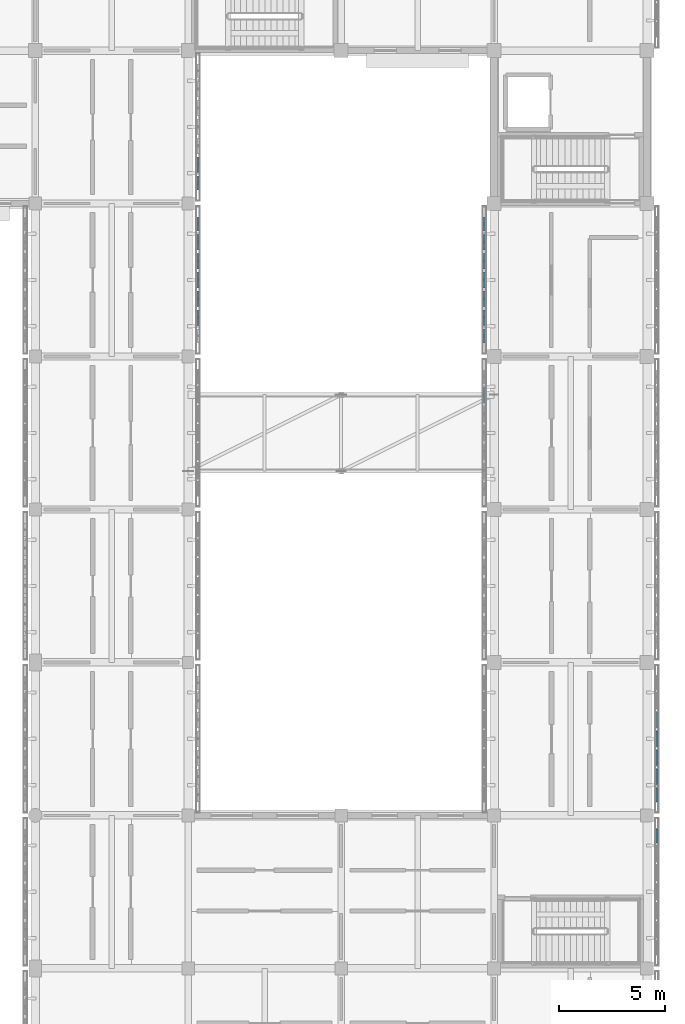
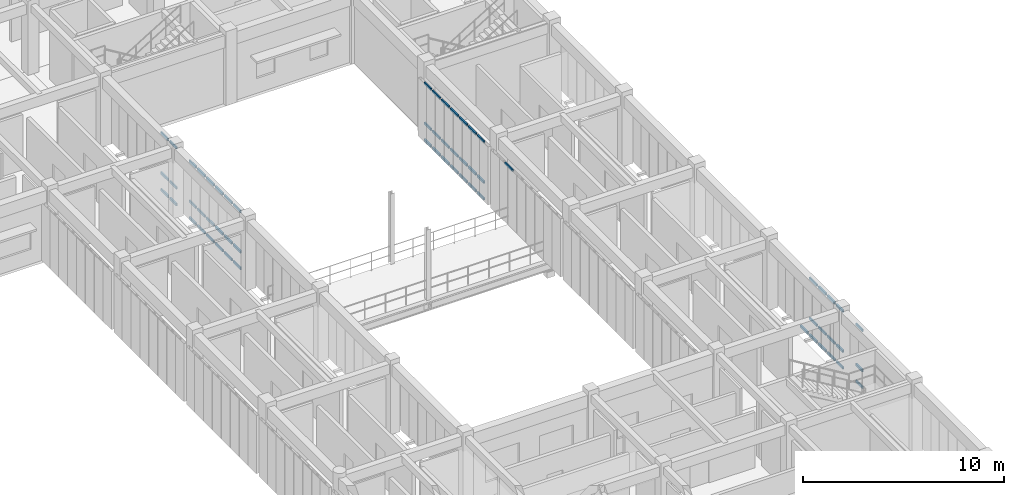
# One storey, part 88 of 171: 62 members, 6 elements without a shape of their own.
"""IFC4 building model written with IfcOpenShell, lengths in metres."""

from ifc_helpers import new_model, si_unit, direction, frame, origin, origin_2d, place, context, subcontext, project, spatial, hollow_rectangle, extrude, material, material_profile, profile_set, type_object, element, aggregate, save


model = new_model("IFC4")

# Units and contexts
model_context = context("Model", 3, precision=1e-05, world=origin(), true_north=direction((0.0, 1.0)))
body_context = subcontext(model_context, "Body", "Model", "MODEL_VIEW")
ifc_project = project(units=[si_unit("LENGTHUNIT", "METRE"), si_unit("AREAUNIT", "SQUARE_METRE"), si_unit("VOLUMEUNIT", "CUBIC_METRE"), si_unit("PLANEANGLEUNIT", "RADIAN"), si_unit("MASSUNIT", "GRAM", prefix="KILO")], contexts=[model_context])

# Site, building, storey
site_placement = place(None, origin())
site = spatial("IfcSite", under=ifc_project, at=site_placement, CompositionType="ELEMENT")
building_placement = place(site_placement, origin())
building = spatial("IfcBuilding", under=site, at=building_placement, Name="Aldebral Square Health Centre", CompositionType="ELEMENT")
storey_placement = place(building_placement, frame((0.0, 0.0, 4.5)))
storey = spatial("IfcBuildingStorey", under=building, at=storey_placement, Name="L01", CompositionType="ELEMENT", Elevation=4.5)

# Curtain wall, members
ifc_material_1 = material(Name="Aluminium and low-E solar glass", Category="aluminium")
curtain_wall_type = type_object("IfcCurtainWallType", Name="CW-FIN-SYS", PredefinedType="USERDEFINED", material=ifc_material_1)
curtain_wall_1_placement = place(storey_placement, origin())
curtain_wall_1 = element("IfcCurtainWall", 1, at=curtain_wall_1_placement, inside=storey, type_object=curtain_wall_type, Name="L01 V5 finned curtain wall L01-V5-19-12-E", ObjectType="SOLAR_CURTAIN_WALL", PredefinedType="USERDEFINED")
ifc_material_2 = material(Name="Anodised aluminium transom", Category="aluminium")
ifc_material_profile = material_profile(ifc_material_2, hollow_rectangle(XDim=0.074951171875, YDim=0.14990234375, WallThickness=0.00390625, at=origin_2d()), Name="CWT 75x150x4")
ifc_profile_set = profile_set([ifc_material_profile], Name="Anodised aluminium transom")
member_type = type_object("IfcMemberType", Name="CWT-STD", PredefinedType="USERDEFINED", material=ifc_profile_set)
member_1_placement = place(storey_placement, frame((144.4599609375, 87.851318359375, 0.03759765625), z_axis=(0.0, 1.0, 0.0), x_axis=(-1.0, 0.0, 0.0)))
member_1 = element("IfcMember", 2, at=member_1_placement, type_object=member_type, Name="CW1 transom 2.1", ObjectType="TRANSOM", PredefinedType="USERDEFINED", context=body_context, shape_type="SweptSolid", body=[
    extrude(hollow_rectangle(XDim=0.074951171875, YDim=0.14990234375, WallThickness=0.00390625, at=origin_2d()), origin(), (0.0, 0.0, 1.0), 0.7314453125),
])
member_2_placement = place(storey_placement, frame((144.4599609375, 87.851318359375, 1.050048828125), z_axis=(0.0, 1.0, 0.0), x_axis=(-1.0, 0.0, 0.0)))
member_2 = element("IfcMember", 3, at=member_2_placement, type_object=member_type, Name="CW1 transom 2.2", ObjectType="TRANSOM", PredefinedType="USERDEFINED", context=body_context, shape_type="SweptSolid", body=[
    extrude(hollow_rectangle(XDim=0.074951171875, YDim=0.14990234375, WallThickness=0.00390625, at=origin_2d()), origin(), (0.0, 0.0, 1.0), 0.7314453125),
])
member_3_placement = place(storey_placement, frame((144.4599609375, 87.851318359375, 3.482421875), z_axis=(0.0, 1.0, 0.0), x_axis=(-1.0, 0.0, 0.0)))
member_3 = element("IfcMember", 4, at=member_3_placement, type_object=member_type, Name="CW1 transom 2.3", ObjectType="TRANSOM", PredefinedType="USERDEFINED", context=body_context, shape_type="SweptSolid", body=[
    extrude(hollow_rectangle(XDim=0.074951171875, YDim=0.14990234375, WallThickness=0.00390625, at=origin_2d()), origin(), (0.0, 0.0, 1.0), 0.7314453125),
])
member_4_placement = place(storey_placement, frame((144.4599609375, 88.742919921875, 0.03759765625), z_axis=(0.0, 1.0, 0.0), x_axis=(-1.0, 0.0, 0.0)))
member_4 = element("IfcMember", 5, at=member_4_placement, type_object=member_type, Name="CW1 transom 3.1", ObjectType="TRANSOM", PredefinedType="USERDEFINED", context=body_context, shape_type="SweptSolid", body=[
    extrude(hollow_rectangle(XDim=0.074951171875, YDim=0.14990234375, WallThickness=0.00390625, at=origin_2d()), origin(), (0.0, 0.0, 1.0), 0.7314453125),
])
member_5_placement = place(storey_placement, frame((144.4599609375, 88.742919921875, 1.050048828125), z_axis=(0.0, 1.0, 0.0), x_axis=(-1.0, 0.0, 0.0)))
member_5 = element("IfcMember", 6, at=member_5_placement, type_object=member_type, Name="CW1 transom 3.2", ObjectType="TRANSOM", PredefinedType="USERDEFINED", context=body_context, shape_type="SweptSolid", body=[
    extrude(hollow_rectangle(XDim=0.074951171875, YDim=0.14990234375, WallThickness=0.00390625, at=origin_2d()), origin(), (0.0, 0.0, 1.0), 0.7314453125),
])
member_6_placement = place(storey_placement, frame((144.4599609375, 88.742919921875, 3.482421875), z_axis=(0.0, 1.0, 0.0), x_axis=(-1.0, 0.0, 0.0)))
member_6 = element("IfcMember", 7, at=member_6_placement, type_object=member_type, Name="CW1 transom 3.3", ObjectType="TRANSOM", PredefinedType="USERDEFINED", context=body_context, shape_type="SweptSolid", body=[
    extrude(hollow_rectangle(XDim=0.074951171875, YDim=0.14990234375, WallThickness=0.00390625, at=origin_2d()), origin(), (0.0, 0.0, 1.0), 0.7314453125),
])
member_7_placement = place(storey_placement, frame((144.4599609375, 89.63427734375, 0.03759765625), z_axis=(0.0, 1.0, 0.0), x_axis=(-1.0, 0.0, 0.0)))
member_7 = element("IfcMember", 8, at=member_7_placement, type_object=member_type, Name="CW1 transom 4.1", ObjectType="TRANSOM", PredefinedType="USERDEFINED", context=body_context, shape_type="SweptSolid", body=[
    extrude(hollow_rectangle(XDim=0.074951171875, YDim=0.14990234375, WallThickness=0.00390625, at=origin_2d()), origin(), (0.0, 0.0, 1.0), 0.7314453125),
])
member_8_placement = place(storey_placement, frame((144.4599609375, 89.63427734375, 1.050048828125), z_axis=(0.0, 1.0, 0.0), x_axis=(-1.0, 0.0, 0.0)))
member_8 = element("IfcMember", 9, at=member_8_placement, type_object=member_type, Name="CW1 transom 4.2", ObjectType="TRANSOM", PredefinedType="USERDEFINED", context=body_context, shape_type="SweptSolid", body=[
    extrude(hollow_rectangle(XDim=0.074951171875, YDim=0.14990234375, WallThickness=0.00390625, at=origin_2d()), origin(), (0.0, 0.0, 1.0), 0.7314453125),
])
member_9_placement = place(storey_placement, frame((144.4599609375, 89.63427734375, 3.482421875), z_axis=(0.0, 1.0, 0.0), x_axis=(-1.0, 0.0, 0.0)))
member_9 = element("IfcMember", 10, at=member_9_placement, type_object=member_type, Name="CW1 transom 4.3", ObjectType="TRANSOM", PredefinedType="USERDEFINED", context=body_context, shape_type="SweptSolid", body=[
    extrude(hollow_rectangle(XDim=0.074951171875, YDim=0.14990234375, WallThickness=0.00390625, at=origin_2d()), origin(), (0.0, 0.0, 1.0), 0.7314453125),
])
member_10_placement = place(storey_placement, frame((144.4599609375, 90.525634765625, 0.03759765625), z_axis=(0.0, 1.0, 0.0), x_axis=(-1.0, 0.0, 0.0)))
member_10 = element("IfcMember", 11, at=member_10_placement, type_object=member_type, Name="CW1 transom 5.1", ObjectType="TRANSOM", PredefinedType="USERDEFINED", context=body_context, shape_type="SweptSolid", body=[
    extrude(hollow_rectangle(XDim=0.074951171875, YDim=0.14990234375, WallThickness=0.00390625, at=origin_2d()), origin(), (0.0, 0.0, 1.0), 0.7314453125),
])
member_11_placement = place(storey_placement, frame((144.4599609375, 90.525634765625, 1.050048828125), z_axis=(0.0, 1.0, 0.0), x_axis=(-1.0, 0.0, 0.0)))
member_11 = element("IfcMember", 12, at=member_11_placement, type_object=member_type, Name="CW1 transom 5.2", ObjectType="TRANSOM", PredefinedType="USERDEFINED", context=body_context, shape_type="SweptSolid", body=[
    extrude(hollow_rectangle(XDim=0.074951171875, YDim=0.14990234375, WallThickness=0.00390625, at=origin_2d()), origin(), (0.0, 0.0, 1.0), 0.7314453125),
])
member_12_placement = place(storey_placement, frame((144.4599609375, 90.525634765625, 3.482421875), z_axis=(0.0, 1.0, 0.0), x_axis=(-1.0, 0.0, 0.0)))
member_12 = element("IfcMember", 13, at=member_12_placement, type_object=member_type, Name="CW1 transom 5.3", ObjectType="TRANSOM", PredefinedType="USERDEFINED", context=body_context, shape_type="SweptSolid", body=[
    extrude(hollow_rectangle(XDim=0.074951171875, YDim=0.14990234375, WallThickness=0.00390625, at=origin_2d()), origin(), (0.0, 0.0, 1.0), 0.7314453125),
])
member_13_placement = place(storey_placement, frame((144.4599609375, 91.417236328125, 0.03759765625), z_axis=(0.0, 1.0, 0.0), x_axis=(-1.0, 0.0, 0.0)))
member_13 = element("IfcMember", 14, at=member_13_placement, type_object=member_type, Name="CW1 transom 6.1", ObjectType="TRANSOM", PredefinedType="USERDEFINED", context=body_context, shape_type="SweptSolid", body=[
    extrude(hollow_rectangle(XDim=0.074951171875, YDim=0.14990234375, WallThickness=0.00390625, at=origin_2d()), origin(), (0.0, 0.0, 1.0), 0.7314453125),
])
member_14_placement = place(storey_placement, frame((144.4599609375, 91.417236328125, 1.050048828125), z_axis=(0.0, 1.0, 0.0), x_axis=(-1.0, 0.0, 0.0)))
member_14 = element("IfcMember", 15, at=member_14_placement, type_object=member_type, Name="CW1 transom 6.2", ObjectType="TRANSOM", PredefinedType="USERDEFINED", context=body_context, shape_type="SweptSolid", body=[
    extrude(hollow_rectangle(XDim=0.074951171875, YDim=0.14990234375, WallThickness=0.00390625, at=origin_2d()), origin(), (0.0, 0.0, 1.0), 0.7314453125),
])
member_15_placement = place(storey_placement, frame((144.4599609375, 91.417236328125, 3.482421875), z_axis=(0.0, 1.0, 0.0), x_axis=(-1.0, 0.0, 0.0)))
member_15 = element("IfcMember", 16, at=member_15_placement, type_object=member_type, Name="CW1 transom 6.3", ObjectType="TRANSOM", PredefinedType="USERDEFINED", context=body_context, shape_type="SweptSolid", body=[
    extrude(hollow_rectangle(XDim=0.074951171875, YDim=0.14990234375, WallThickness=0.00390625, at=origin_2d()), origin(), (0.0, 0.0, 1.0), 0.7314453125),
])
member_16_placement = place(storey_placement, frame((144.4599609375, 92.30859375, 0.03759765625), z_axis=(0.0, 1.0, 0.0), x_axis=(-1.0, 0.0, 0.0)))
member_16 = element("IfcMember", 17, at=member_16_placement, type_object=member_type, Name="CW1 transom 7.1", ObjectType="TRANSOM", PredefinedType="USERDEFINED", context=body_context, shape_type="SweptSolid", body=[
    extrude(hollow_rectangle(XDim=0.074951171875, YDim=0.14990234375, WallThickness=0.00390625, at=origin_2d()), origin(), (0.0, 0.0, 1.0), 0.6513671875),
])
member_17_placement = place(storey_placement, frame((144.4599609375, 92.30859375, 1.050048828125), z_axis=(0.0, 1.0, 0.0), x_axis=(-1.0, 0.0, 0.0)))
member_17 = element("IfcMember", 18, at=member_17_placement, type_object=member_type, Name="CW1 transom 7.2", ObjectType="TRANSOM", PredefinedType="USERDEFINED", context=body_context, shape_type="SweptSolid", body=[
    extrude(hollow_rectangle(XDim=0.074951171875, YDim=0.14990234375, WallThickness=0.00390625, at=origin_2d()), origin(), (0.0, 0.0, 1.0), 0.6513671875),
])
member_18_placement = place(storey_placement, frame((144.4599609375, 92.30859375, 3.482421875), z_axis=(0.0, 1.0, 0.0), x_axis=(-1.0, 0.0, 0.0)))
member_18 = element("IfcMember", 19, at=member_18_placement, type_object=member_type, Name="CW1 transom 7.3", ObjectType="TRANSOM", PredefinedType="USERDEFINED", context=body_context, shape_type="SweptSolid", body=[
    extrude(hollow_rectangle(XDim=0.074951171875, YDim=0.14990234375, WallThickness=0.00390625, at=origin_2d()), origin(), (0.0, 0.0, 1.0), 0.6513671875),
])
aggregate(curtain_wall_1, [member_1, member_2, member_3, member_4, member_5, member_6, member_7, member_8, member_9, member_10, member_11, member_12, member_13, member_14, member_15, member_16, member_17, member_18])

curtain_wall_2_placement = place(storey_placement, origin())
curtain_wall_2 = element("IfcCurtainWall", 20, at=curtain_wall_2_placement, inside=storey, type_object=curtain_wall_type, Name="L01 V5 finned curtain wall L01-V5-19-13-E", ObjectType="SOLAR_CURTAIN_WALL", PredefinedType="USERDEFINED")
member_19_placement = place(storey_placement, frame((144.4599609375, 94.239990234375, 0.03759765625), z_axis=(0.0, 1.0, 0.0), x_axis=(-1.0, 0.0, 0.0)))
member_19 = element("IfcMember", 21, at=member_19_placement, type_object=member_type, Name="CW1 transom 1.1", ObjectType="TRANSOM", PredefinedType="USERDEFINED", context=body_context, shape_type="SweptSolid", body=[
    extrude(hollow_rectangle(XDim=0.074951171875, YDim=0.14990234375, WallThickness=0.00390625, at=origin_2d()), origin(), (0.0, 0.0, 1.0), 0.6513671875),
])
member_20_placement = place(storey_placement, frame((144.4599609375, 94.239990234375, 1.050048828125), z_axis=(0.0, 1.0, 0.0), x_axis=(-1.0, 0.0, 0.0)))
member_20 = element("IfcMember", 22, at=member_20_placement, type_object=member_type, Name="CW1 transom 1.2", ObjectType="TRANSOM", PredefinedType="USERDEFINED", context=body_context, shape_type="SweptSolid", body=[
    extrude(hollow_rectangle(XDim=0.074951171875, YDim=0.14990234375, WallThickness=0.00390625, at=origin_2d()), origin(), (0.0, 0.0, 1.0), 0.6513671875),
])
member_21_placement = place(storey_placement, frame((144.4599609375, 94.239990234375, 3.482421875), z_axis=(0.0, 1.0, 0.0), x_axis=(-1.0, 0.0, 0.0)))
member_21 = element("IfcMember", 23, at=member_21_placement, type_object=member_type, Name="CW1 transom 1.3", ObjectType="TRANSOM", PredefinedType="USERDEFINED", context=body_context, shape_type="SweptSolid", body=[
    extrude(hollow_rectangle(XDim=0.074951171875, YDim=0.14990234375, WallThickness=0.00390625, at=origin_2d()), origin(), (0.0, 0.0, 1.0), 0.6513671875),
])
member_22_placement = place(storey_placement, frame((144.4599609375, 95.051513671875, 0.03759765625), z_axis=(0.0, 1.0, 0.0), x_axis=(-1.0, 0.0, 0.0)))
member_22 = element("IfcMember", 24, at=member_22_placement, type_object=member_type, Name="CW1 transom 2.1", ObjectType="TRANSOM", PredefinedType="USERDEFINED", context=body_context, shape_type="SweptSolid", body=[
    extrude(hollow_rectangle(XDim=0.074951171875, YDim=0.14990234375, WallThickness=0.00390625, at=origin_2d()), origin(), (0.0, 0.0, 1.0), 0.7314453125),
])
member_23_placement = place(storey_placement, frame((144.4599609375, 95.051513671875, 1.050048828125), z_axis=(0.0, 1.0, 0.0), x_axis=(-1.0, 0.0, 0.0)))
member_23 = element("IfcMember", 25, at=member_23_placement, type_object=member_type, Name="CW1 transom 2.2", ObjectType="TRANSOM", PredefinedType="USERDEFINED", context=body_context, shape_type="SweptSolid", body=[
    extrude(hollow_rectangle(XDim=0.074951171875, YDim=0.14990234375, WallThickness=0.00390625, at=origin_2d()), origin(), (0.0, 0.0, 1.0), 0.7314453125),
])
member_24_placement = place(storey_placement, frame((144.4599609375, 95.051513671875, 3.482421875), z_axis=(0.0, 1.0, 0.0), x_axis=(-1.0, 0.0, 0.0)))
member_24 = element("IfcMember", 26, at=member_24_placement, type_object=member_type, Name="CW1 transom 2.3", ObjectType="TRANSOM", PredefinedType="USERDEFINED", context=body_context, shape_type="SweptSolid", body=[
    extrude(hollow_rectangle(XDim=0.074951171875, YDim=0.14990234375, WallThickness=0.00390625, at=origin_2d()), origin(), (0.0, 0.0, 1.0), 0.7314453125),
])
aggregate(curtain_wall_2, [member_19, member_20, member_21, member_22, member_23, member_24])

curtain_wall_3_placement = place(storey_placement, origin())
curtain_wall_3 = element("IfcCurtainWall", 27, at=curtain_wall_3_placement, inside=storey, type_object=curtain_wall_type, Name="L01 V5 finned curtain wall L01-V5-22-08-E", ObjectType="SOLAR_CURTAIN_WALL", PredefinedType="USERDEFINED")
member_25_placement = place(storey_placement, frame((166.06005859375, 63.508544921875, 0.03759765625), z_axis=(0.0, 1.0, 0.0), x_axis=(-1.0, 0.0, 0.0)))
member_25 = element("IfcMember", 28, at=member_25_placement, type_object=member_type, Name="CW1 transom 7.1", ObjectType="TRANSOM", PredefinedType="USERDEFINED", context=body_context, shape_type="SweptSolid", body=[
    extrude(hollow_rectangle(XDim=0.074951171875, YDim=0.14990234375, WallThickness=0.00390625, at=origin_2d()), origin(), (0.0, 0.0, 1.0), 0.6513671875),
])
member_26_placement = place(storey_placement, frame((166.06005859375, 63.508544921875, 1.050048828125), z_axis=(0.0, 1.0, 0.0), x_axis=(-1.0, 0.0, 0.0)))
member_26 = element("IfcMember", 29, at=member_26_placement, type_object=member_type, Name="CW1 transom 7.2", ObjectType="TRANSOM", PredefinedType="USERDEFINED", context=body_context, shape_type="SweptSolid", body=[
    extrude(hollow_rectangle(XDim=0.074951171875, YDim=0.14990234375, WallThickness=0.00390625, at=origin_2d()), origin(), (0.0, 0.0, 1.0), 0.6513671875),
])
member_27_placement = place(storey_placement, frame((166.06005859375, 63.508544921875, 3.482421875), z_axis=(0.0, 1.0, 0.0), x_axis=(-1.0, 0.0, 0.0)))
member_27 = element("IfcMember", 30, at=member_27_placement, type_object=member_type, Name="CW1 transom 7.3", ObjectType="TRANSOM", PredefinedType="USERDEFINED", context=body_context, shape_type="SweptSolid", body=[
    extrude(hollow_rectangle(XDim=0.074951171875, YDim=0.14990234375, WallThickness=0.00390625, at=origin_2d()), origin(), (0.0, 0.0, 1.0), 0.6513671875),
])
aggregate(curtain_wall_3, [member_25, member_26, member_27])

curtain_wall_4_placement = place(storey_placement, origin())
curtain_wall_4 = element("IfcCurtainWall", 31, at=curtain_wall_4_placement, inside=storey, type_object=curtain_wall_type, Name="L01 V5 finned curtain wall L01-V5-22-09-E", ObjectType="SOLAR_CURTAIN_WALL", PredefinedType="USERDEFINED")
member_28_placement = place(storey_placement, frame((166.06005859375, 65.43994140625, 0.03759765625), z_axis=(0.0, 1.0, 0.0), x_axis=(-1.0, 0.0, 0.0)))
member_28 = element("IfcMember", 32, at=member_28_placement, type_object=member_type, Name="CW1 transom 1.1", ObjectType="TRANSOM", PredefinedType="USERDEFINED", context=body_context, shape_type="SweptSolid", body=[
    extrude(hollow_rectangle(XDim=0.074951171875, YDim=0.14990234375, WallThickness=0.00390625, at=origin_2d()), origin(), (0.0, 0.0, 1.0), 0.6513671875),
])
member_29_placement = place(storey_placement, frame((166.06005859375, 65.43994140625, 1.050048828125), z_axis=(0.0, 1.0, 0.0), x_axis=(-1.0, 0.0, 0.0)))
member_29 = element("IfcMember", 33, at=member_29_placement, type_object=member_type, Name="CW1 transom 1.2", ObjectType="TRANSOM", PredefinedType="USERDEFINED", context=body_context, shape_type="SweptSolid", body=[
    extrude(hollow_rectangle(XDim=0.074951171875, YDim=0.14990234375, WallThickness=0.00390625, at=origin_2d()), origin(), (0.0, 0.0, 1.0), 0.6513671875),
])
member_30_placement = place(storey_placement, frame((166.06005859375, 65.43994140625, 3.482421875), z_axis=(0.0, 1.0, 0.0), x_axis=(-1.0, 0.0, 0.0)))
member_30 = element("IfcMember", 34, at=member_30_placement, type_object=member_type, Name="CW1 transom 1.3", ObjectType="TRANSOM", PredefinedType="USERDEFINED", context=body_context, shape_type="SweptSolid", body=[
    extrude(hollow_rectangle(XDim=0.074951171875, YDim=0.14990234375, WallThickness=0.00390625, at=origin_2d()), origin(), (0.0, 0.0, 1.0), 0.6513671875),
])
member_31_placement = place(storey_placement, frame((166.06005859375, 66.25146484375, 0.03759765625), z_axis=(0.0, 1.0, 0.0), x_axis=(-1.0, 0.0, 0.0)))
member_31 = element("IfcMember", 35, at=member_31_placement, type_object=member_type, Name="CW1 transom 2.1", ObjectType="TRANSOM", PredefinedType="USERDEFINED", context=body_context, shape_type="SweptSolid", body=[
    extrude(hollow_rectangle(XDim=0.074951171875, YDim=0.14990234375, WallThickness=0.00390625, at=origin_2d()), origin(), (0.0, 0.0, 1.0), 0.7314453125),
])
member_32_placement = place(storey_placement, frame((166.06005859375, 66.25146484375, 1.050048828125), z_axis=(0.0, 1.0, 0.0), x_axis=(-1.0, 0.0, 0.0)))
member_32 = element("IfcMember", 36, at=member_32_placement, type_object=member_type, Name="CW1 transom 2.2", ObjectType="TRANSOM", PredefinedType="USERDEFINED", context=body_context, shape_type="SweptSolid", body=[
    extrude(hollow_rectangle(XDim=0.074951171875, YDim=0.14990234375, WallThickness=0.00390625, at=origin_2d()), origin(), (0.0, 0.0, 1.0), 0.7314453125),
])
member_33_placement = place(storey_placement, frame((166.06005859375, 66.25146484375, 3.482421875), z_axis=(0.0, 1.0, 0.0), x_axis=(-1.0, 0.0, 0.0)))
member_33 = element("IfcMember", 37, at=member_33_placement, type_object=member_type, Name="CW1 transom 2.3", ObjectType="TRANSOM", PredefinedType="USERDEFINED", context=body_context, shape_type="SweptSolid", body=[
    extrude(hollow_rectangle(XDim=0.074951171875, YDim=0.14990234375, WallThickness=0.00390625, at=origin_2d()), origin(), (0.0, 0.0, 1.0), 0.7314453125),
])
member_34_placement = place(storey_placement, frame((166.06005859375, 67.142822265625, 0.03759765625), z_axis=(0.0, 1.0, 0.0), x_axis=(-1.0, 0.0, 0.0)))
member_34 = element("IfcMember", 38, at=member_34_placement, type_object=member_type, Name="CW1 transom 3.1", ObjectType="TRANSOM", PredefinedType="USERDEFINED", context=body_context, shape_type="SweptSolid", body=[
    extrude(hollow_rectangle(XDim=0.074951171875, YDim=0.14990234375, WallThickness=0.00390625, at=origin_2d()), origin(), (0.0, 0.0, 1.0), 0.7314453125),
])
member_35_placement = place(storey_placement, frame((166.06005859375, 67.142822265625, 1.050048828125), z_axis=(0.0, 1.0, 0.0), x_axis=(-1.0, 0.0, 0.0)))
member_35 = element("IfcMember", 39, at=member_35_placement, type_object=member_type, Name="CW1 transom 3.2", ObjectType="TRANSOM", PredefinedType="USERDEFINED", context=body_context, shape_type="SweptSolid", body=[
    extrude(hollow_rectangle(XDim=0.074951171875, YDim=0.14990234375, WallThickness=0.00390625, at=origin_2d()), origin(), (0.0, 0.0, 1.0), 0.7314453125),
])
member_36_placement = place(storey_placement, frame((166.06005859375, 67.142822265625, 3.482421875), z_axis=(0.0, 1.0, 0.0), x_axis=(-1.0, 0.0, 0.0)))
member_36 = element("IfcMember", 40, at=member_36_placement, type_object=member_type, Name="CW1 transom 3.3", ObjectType="TRANSOM", PredefinedType="USERDEFINED", context=body_context, shape_type="SweptSolid", body=[
    extrude(hollow_rectangle(XDim=0.074951171875, YDim=0.14990234375, WallThickness=0.00390625, at=origin_2d()), origin(), (0.0, 0.0, 1.0), 0.7314453125),
])
member_37_placement = place(storey_placement, frame((166.06005859375, 68.0341796875, 0.03759765625), z_axis=(0.0, 1.0, 0.0), x_axis=(-1.0, 0.0, 0.0)))
member_37 = element("IfcMember", 41, at=member_37_placement, type_object=member_type, Name="CW1 transom 4.1", ObjectType="TRANSOM", PredefinedType="USERDEFINED", context=body_context, shape_type="SweptSolid", body=[
    extrude(hollow_rectangle(XDim=0.074951171875, YDim=0.14990234375, WallThickness=0.00390625, at=origin_2d()), origin(), (0.0, 0.0, 1.0), 0.7314453125),
])
member_38_placement = place(storey_placement, frame((166.06005859375, 68.0341796875, 1.050048828125), z_axis=(0.0, 1.0, 0.0), x_axis=(-1.0, 0.0, 0.0)))
member_38 = element("IfcMember", 42, at=member_38_placement, type_object=member_type, Name="CW1 transom 4.2", ObjectType="TRANSOM", PredefinedType="USERDEFINED", context=body_context, shape_type="SweptSolid", body=[
    extrude(hollow_rectangle(XDim=0.074951171875, YDim=0.14990234375, WallThickness=0.00390625, at=origin_2d()), origin(), (0.0, 0.0, 1.0), 0.7314453125),
])
member_39_placement = place(storey_placement, frame((166.06005859375, 68.0341796875, 3.482421875), z_axis=(0.0, 1.0, 0.0), x_axis=(-1.0, 0.0, 0.0)))
member_39 = element("IfcMember", 43, at=member_39_placement, type_object=member_type, Name="CW1 transom 4.3", ObjectType="TRANSOM", PredefinedType="USERDEFINED", context=body_context, shape_type="SweptSolid", body=[
    extrude(hollow_rectangle(XDim=0.074951171875, YDim=0.14990234375, WallThickness=0.00390625, at=origin_2d()), origin(), (0.0, 0.0, 1.0), 0.7314453125),
])
member_40_placement = place(storey_placement, frame((166.06005859375, 68.92578125, 0.03759765625), z_axis=(0.0, 1.0, 0.0), x_axis=(-1.0, 0.0, 0.0)))
member_40 = element("IfcMember", 44, at=member_40_placement, type_object=member_type, Name="CW1 transom 5.1", ObjectType="TRANSOM", PredefinedType="USERDEFINED", context=body_context, shape_type="SweptSolid", body=[
    extrude(hollow_rectangle(XDim=0.074951171875, YDim=0.14990234375, WallThickness=0.00390625, at=origin_2d()), origin(), (0.0, 0.0, 1.0), 0.7314453125),
])
aggregate(curtain_wall_4, [member_28, member_29, member_30, member_31, member_32, member_33, member_34, member_35, member_36, member_37, member_38, member_39, member_40])

# Curtain wall, member
curtain_wall_5_placement = place(storey_placement, origin())
curtain_wall_5 = element("IfcCurtainWall", 45, at=curtain_wall_5_placement, inside=storey, type_object=curtain_wall_type, Name="L01 V5 finned curtain wall L01-V5-22-11-W", ObjectType="SOLAR_CURTAIN_WALL", PredefinedType="USERDEFINED")
member_41_placement = place(storey_placement, frame((157.93994140625, 84.948486328125, 3.482421875), z_axis=(0.0, -1.0, 0.0), x_axis=(1.0, 0.0, 0.0)))
member_41 = element("IfcMember", 46, at=member_41_placement, type_object=member_type, Name="CW1 transom 2.3", ObjectType="TRANSOM", PredefinedType="USERDEFINED", context=body_context, shape_type="SweptSolid", body=[
    extrude(hollow_rectangle(XDim=0.074951171875, YDim=0.14990234375, WallThickness=0.00390625, at=origin_2d()), origin(), (0.0, 0.0, 1.0), 0.7314453125),
])
aggregate(curtain_wall_5, [member_41])

# Curtain wall, members
curtain_wall_6_placement = place(storey_placement, origin())
curtain_wall_6 = element("IfcCurtainWall", 47, at=curtain_wall_6_placement, inside=storey, type_object=curtain_wall_type, Name="L01 V5 finned curtain wall L01-V5-22-12-W", ObjectType="SOLAR_CURTAIN_WALL", PredefinedType="USERDEFINED")
member_42_placement = place(storey_placement, frame((157.93994140625, 92.9599609375, 0.03759765625), z_axis=(0.0, -1.0, 0.0), x_axis=(1.0, 0.0, 0.0)))
member_42 = element("IfcMember", 48, at=member_42_placement, type_object=member_type, Name="CW1 transom 1.1", ObjectType="TRANSOM", PredefinedType="USERDEFINED", context=body_context, shape_type="SweptSolid", body=[
    extrude(hollow_rectangle(XDim=0.074951171875, YDim=0.14990234375, WallThickness=0.00390625, at=origin_2d()), origin(), (0.0, 0.0, 1.0), 0.6513671875),
])
member_43_placement = place(storey_placement, frame((157.93994140625, 92.9599609375, 1.050048828125), z_axis=(0.0, -1.0, 0.0), x_axis=(1.0, 0.0, 0.0)))
member_43 = element("IfcMember", 49, at=member_43_placement, type_object=member_type, Name="CW1 transom 1.2", ObjectType="TRANSOM", PredefinedType="USERDEFINED", context=body_context, shape_type="SweptSolid", body=[
    extrude(hollow_rectangle(XDim=0.074951171875, YDim=0.14990234375, WallThickness=0.00390625, at=origin_2d()), origin(), (0.0, 0.0, 1.0), 0.6513671875),
])
member_44_placement = place(storey_placement, frame((157.93994140625, 92.9599609375, 3.482421875), z_axis=(0.0, -1.0, 0.0), x_axis=(1.0, 0.0, 0.0)))
member_44 = element("IfcMember", 50, at=member_44_placement, type_object=member_type, Name="CW1 transom 1.3", ObjectType="TRANSOM", PredefinedType="USERDEFINED", context=body_context, shape_type="SweptSolid", body=[
    extrude(hollow_rectangle(XDim=0.074951171875, YDim=0.14990234375, WallThickness=0.00390625, at=origin_2d()), origin(), (0.0, 0.0, 1.0), 0.6513671875),
])
member_45_placement = place(storey_placement, frame((157.93994140625, 92.148681640625, 0.03759765625), z_axis=(0.0, -1.0, 0.0), x_axis=(1.0, 0.0, 0.0)))
member_45 = element("IfcMember", 51, at=member_45_placement, type_object=member_type, Name="CW1 transom 2.1", ObjectType="TRANSOM", PredefinedType="USERDEFINED", context=body_context, shape_type="SweptSolid", body=[
    extrude(hollow_rectangle(XDim=0.074951171875, YDim=0.14990234375, WallThickness=0.00390625, at=origin_2d()), origin(), (0.0, 0.0, 1.0), 0.7314453125),
])
member_46_placement = place(storey_placement, frame((157.93994140625, 92.148681640625, 1.050048828125), z_axis=(0.0, -1.0, 0.0), x_axis=(1.0, 0.0, 0.0)))
member_46 = element("IfcMember", 52, at=member_46_placement, type_object=member_type, Name="CW1 transom 2.2", ObjectType="TRANSOM", PredefinedType="USERDEFINED", context=body_context, shape_type="SweptSolid", body=[
    extrude(hollow_rectangle(XDim=0.074951171875, YDim=0.14990234375, WallThickness=0.00390625, at=origin_2d()), origin(), (0.0, 0.0, 1.0), 0.7314453125),
])
member_47_placement = place(storey_placement, frame((157.93994140625, 92.148681640625, 3.482421875), z_axis=(0.0, -1.0, 0.0), x_axis=(1.0, 0.0, 0.0)))
member_47 = element("IfcMember", 53, at=member_47_placement, type_object=member_type, Name="CW1 transom 2.3", ObjectType="TRANSOM", PredefinedType="USERDEFINED", context=body_context, shape_type="SweptSolid", body=[
    extrude(hollow_rectangle(XDim=0.074951171875, YDim=0.14990234375, WallThickness=0.00390625, at=origin_2d()), origin(), (0.0, 0.0, 1.0), 0.7314453125),
])
member_48_placement = place(storey_placement, frame((157.93994140625, 91.257080078125, 0.03759765625), z_axis=(0.0, -1.0, 0.0), x_axis=(1.0, 0.0, 0.0)))
member_48 = element("IfcMember", 54, at=member_48_placement, type_object=member_type, Name="CW1 transom 3.1", ObjectType="TRANSOM", PredefinedType="USERDEFINED", context=body_context, shape_type="SweptSolid", body=[
    extrude(hollow_rectangle(XDim=0.074951171875, YDim=0.14990234375, WallThickness=0.00390625, at=origin_2d()), origin(), (0.0, 0.0, 1.0), 0.7314453125),
])
member_49_placement = place(storey_placement, frame((157.93994140625, 91.257080078125, 1.050048828125), z_axis=(0.0, -1.0, 0.0), x_axis=(1.0, 0.0, 0.0)))
member_49 = element("IfcMember", 55, at=member_49_placement, type_object=member_type, Name="CW1 transom 3.2", ObjectType="TRANSOM", PredefinedType="USERDEFINED", context=body_context, shape_type="SweptSolid", body=[
    extrude(hollow_rectangle(XDim=0.074951171875, YDim=0.14990234375, WallThickness=0.00390625, at=origin_2d()), origin(), (0.0, 0.0, 1.0), 0.7314453125),
])
member_50_placement = place(storey_placement, frame((157.93994140625, 91.257080078125, 3.482421875), z_axis=(0.0, -1.0, 0.0), x_axis=(1.0, 0.0, 0.0)))
member_50 = element("IfcMember", 56, at=member_50_placement, type_object=member_type, Name="CW1 transom 3.3", ObjectType="TRANSOM", PredefinedType="USERDEFINED", context=body_context, shape_type="SweptSolid", body=[
    extrude(hollow_rectangle(XDim=0.074951171875, YDim=0.14990234375, WallThickness=0.00390625, at=origin_2d()), origin(), (0.0, 0.0, 1.0), 0.7314453125),
])
member_51_placement = place(storey_placement, frame((157.93994140625, 90.36572265625, 0.03759765625), z_axis=(0.0, -1.0, 0.0), x_axis=(1.0, 0.0, 0.0)))
member_51 = element("IfcMember", 57, at=member_51_placement, type_object=member_type, Name="CW1 transom 4.1", ObjectType="TRANSOM", PredefinedType="USERDEFINED", context=body_context, shape_type="SweptSolid", body=[
    extrude(hollow_rectangle(XDim=0.074951171875, YDim=0.14990234375, WallThickness=0.00390625, at=origin_2d()), origin(), (0.0, 0.0, 1.0), 0.7314453125),
])
member_52_placement = place(storey_placement, frame((157.93994140625, 90.36572265625, 1.050048828125), z_axis=(0.0, -1.0, 0.0), x_axis=(1.0, 0.0, 0.0)))
member_52 = element("IfcMember", 58, at=member_52_placement, type_object=member_type, Name="CW1 transom 4.2", ObjectType="TRANSOM", PredefinedType="USERDEFINED", context=body_context, shape_type="SweptSolid", body=[
    extrude(hollow_rectangle(XDim=0.074951171875, YDim=0.14990234375, WallThickness=0.00390625, at=origin_2d()), origin(), (0.0, 0.0, 1.0), 0.7314453125),
])
member_53_placement = place(storey_placement, frame((157.93994140625, 90.36572265625, 3.482421875), z_axis=(0.0, -1.0, 0.0), x_axis=(1.0, 0.0, 0.0)))
member_53 = element("IfcMember", 59, at=member_53_placement, type_object=member_type, Name="CW1 transom 4.3", ObjectType="TRANSOM", PredefinedType="USERDEFINED", context=body_context, shape_type="SweptSolid", body=[
    extrude(hollow_rectangle(XDim=0.074951171875, YDim=0.14990234375, WallThickness=0.00390625, at=origin_2d()), origin(), (0.0, 0.0, 1.0), 0.7314453125),
])
member_54_placement = place(storey_placement, frame((157.93994140625, 89.474365234375, 0.03759765625), z_axis=(0.0, -1.0, 0.0), x_axis=(1.0, 0.0, 0.0)))
member_54 = element("IfcMember", 60, at=member_54_placement, type_object=member_type, Name="CW1 transom 5.1", ObjectType="TRANSOM", PredefinedType="USERDEFINED", context=body_context, shape_type="SweptSolid", body=[
    extrude(hollow_rectangle(XDim=0.074951171875, YDim=0.14990234375, WallThickness=0.00390625, at=origin_2d()), origin(), (0.0, 0.0, 1.0), 0.7314453125),
])
member_55_placement = place(storey_placement, frame((157.93994140625, 89.474365234375, 1.050048828125), z_axis=(0.0, -1.0, 0.0), x_axis=(1.0, 0.0, 0.0)))
member_55 = element("IfcMember", 61, at=member_55_placement, type_object=member_type, Name="CW1 transom 5.2", ObjectType="TRANSOM", PredefinedType="USERDEFINED", context=body_context, shape_type="SweptSolid", body=[
    extrude(hollow_rectangle(XDim=0.074951171875, YDim=0.14990234375, WallThickness=0.00390625, at=origin_2d()), origin(), (0.0, 0.0, 1.0), 0.7314453125),
])
member_56_placement = place(storey_placement, frame((157.93994140625, 89.474365234375, 3.482421875), z_axis=(0.0, -1.0, 0.0), x_axis=(1.0, 0.0, 0.0)))
member_56 = element("IfcMember", 62, at=member_56_placement, type_object=member_type, Name="CW1 transom 5.3", ObjectType="TRANSOM", PredefinedType="USERDEFINED", context=body_context, shape_type="SweptSolid", body=[
    extrude(hollow_rectangle(XDim=0.074951171875, YDim=0.14990234375, WallThickness=0.00390625, at=origin_2d()), origin(), (0.0, 0.0, 1.0), 0.7314453125),
])
member_57_placement = place(storey_placement, frame((157.93994140625, 88.582763671875, 0.03759765625), z_axis=(0.0, -1.0, 0.0), x_axis=(1.0, 0.0, 0.0)))
member_57 = element("IfcMember", 63, at=member_57_placement, type_object=member_type, Name="CW1 transom 6.1", ObjectType="TRANSOM", PredefinedType="USERDEFINED", context=body_context, shape_type="SweptSolid", body=[
    extrude(hollow_rectangle(XDim=0.074951171875, YDim=0.14990234375, WallThickness=0.00390625, at=origin_2d()), origin(), (0.0, 0.0, 1.0), 0.7314453125),
])
member_58_placement = place(storey_placement, frame((157.93994140625, 88.582763671875, 1.050048828125), z_axis=(0.0, -1.0, 0.0), x_axis=(1.0, 0.0, 0.0)))
member_58 = element("IfcMember", 64, at=member_58_placement, type_object=member_type, Name="CW1 transom 6.2", ObjectType="TRANSOM", PredefinedType="USERDEFINED", context=body_context, shape_type="SweptSolid", body=[
    extrude(hollow_rectangle(XDim=0.074951171875, YDim=0.14990234375, WallThickness=0.00390625, at=origin_2d()), origin(), (0.0, 0.0, 1.0), 0.7314453125),
])
member_59_placement = place(storey_placement, frame((157.93994140625, 88.582763671875, 3.482421875), z_axis=(0.0, -1.0, 0.0), x_axis=(1.0, 0.0, 0.0)))
member_59 = element("IfcMember", 65, at=member_59_placement, type_object=member_type, Name="CW1 transom 6.3", ObjectType="TRANSOM", PredefinedType="USERDEFINED", context=body_context, shape_type="SweptSolid", body=[
    extrude(hollow_rectangle(XDim=0.074951171875, YDim=0.14990234375, WallThickness=0.00390625, at=origin_2d()), origin(), (0.0, 0.0, 1.0), 0.7314453125),
])
member_60_placement = place(storey_placement, frame((157.93994140625, 87.69140625, 0.03759765625), z_axis=(0.0, -1.0, 0.0), x_axis=(1.0, 0.0, 0.0)))
member_60 = element("IfcMember", 66, at=member_60_placement, type_object=member_type, Name="CW1 transom 7.1", ObjectType="TRANSOM", PredefinedType="USERDEFINED", context=body_context, shape_type="SweptSolid", body=[
    extrude(hollow_rectangle(XDim=0.074951171875, YDim=0.14990234375, WallThickness=0.00390625, at=origin_2d()), origin(), (0.0, 0.0, 1.0), 0.6513671875),
])
member_61_placement = place(storey_placement, frame((157.93994140625, 87.69140625, 1.050048828125), z_axis=(0.0, -1.0, 0.0), x_axis=(1.0, 0.0, 0.0)))
member_61 = element("IfcMember", 67, at=member_61_placement, type_object=member_type, Name="CW1 transom 7.2", ObjectType="TRANSOM", PredefinedType="USERDEFINED", context=body_context, shape_type="SweptSolid", body=[
    extrude(hollow_rectangle(XDim=0.074951171875, YDim=0.14990234375, WallThickness=0.00390625, at=origin_2d()), origin(), (0.0, 0.0, 1.0), 0.6513671875),
])
member_62_placement = place(storey_placement, frame((157.93994140625, 87.69140625, 3.482421875), z_axis=(0.0, -1.0, 0.0), x_axis=(1.0, 0.0, 0.0)))
member_62 = element("IfcMember", 68, at=member_62_placement, type_object=member_type, Name="CW1 transom 7.3", ObjectType="TRANSOM", PredefinedType="USERDEFINED", context=body_context, shape_type="SweptSolid", body=[
    extrude(hollow_rectangle(XDim=0.074951171875, YDim=0.14990234375, WallThickness=0.00390625, at=origin_2d()), origin(), (0.0, 0.0, 1.0), 0.6513671875),
])
aggregate(curtain_wall_6, [member_42, member_43, member_44, member_45, member_46, member_47, member_48, member_49, member_50, member_51, member_52, member_53, member_54, member_55, member_56, member_57, member_58, member_59, member_60, member_61, member_62])

save(model, "model.ifc")
